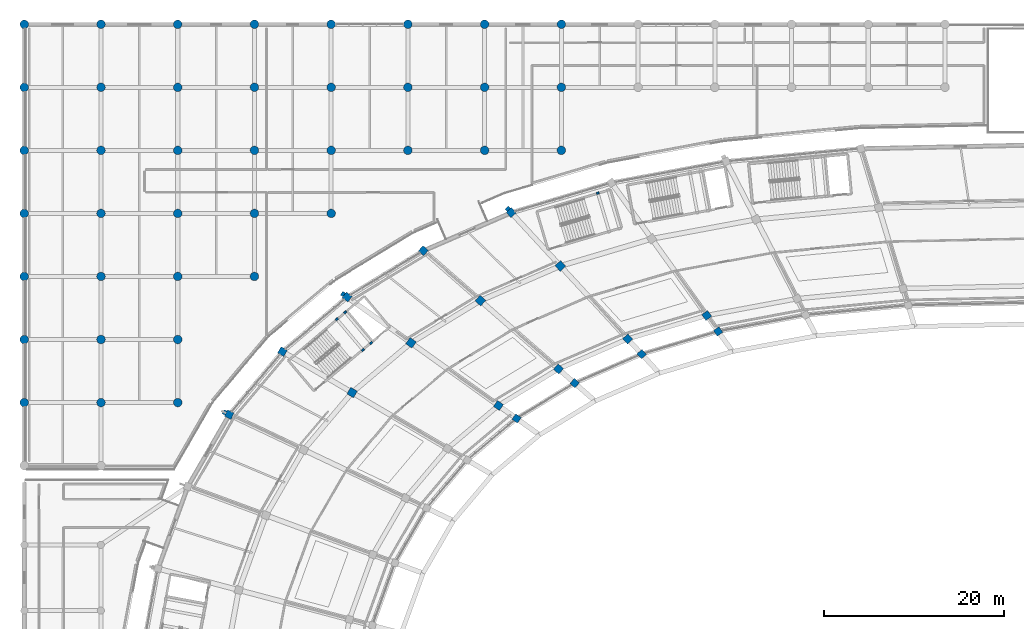
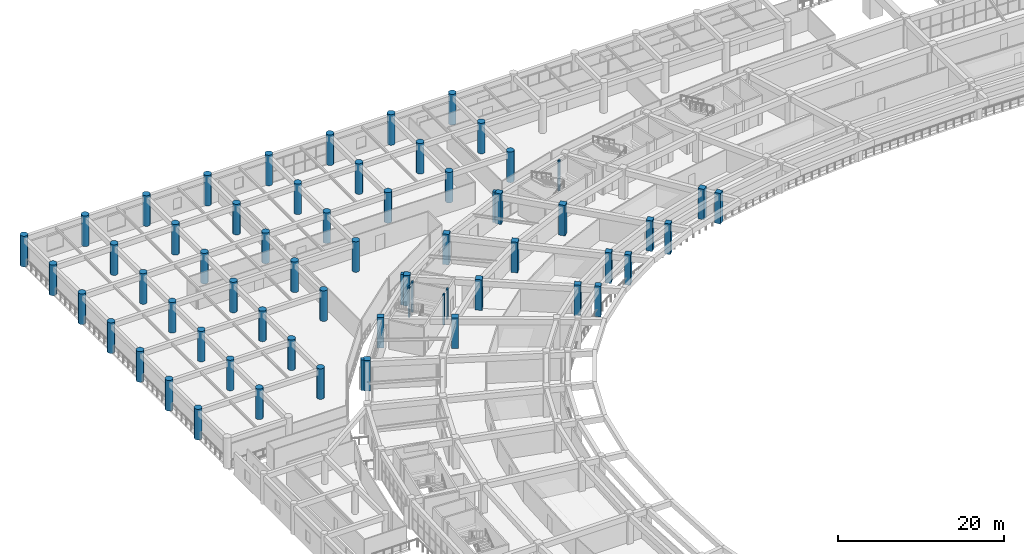
# One storey, part 7 of 145: 64 columns.
"""IFC4 building model written with IfcOpenShell, lengths in metres."""

from ifc_helpers import new_model, si_unit, direction, frame, origin, origin_2d, place, context, subcontext, project, spatial, rectangle, circle, extrude, material, material_profile, profile_set, type_object, element, save


model = new_model("IFC4")

# Units and contexts
model_context = context("Model", 3, precision=1e-05, world=origin(), true_north=direction((0.0, 1.0)))
body_context = subcontext(model_context, "Body", "Model", "MODEL_VIEW")
ifc_project = project(units=[si_unit("LENGTHUNIT", "METRE"), si_unit("AREAUNIT", "SQUARE_METRE"), si_unit("VOLUMEUNIT", "CUBIC_METRE"), si_unit("PLANEANGLEUNIT", "RADIAN"), si_unit("MASSUNIT", "GRAM", prefix="KILO")], contexts=[model_context])

# Site, building, storey
site_placement = place(None, origin())
site = spatial("IfcSite", under=ifc_project, at=site_placement, CompositionType="ELEMENT")
building_placement = place(site_placement, origin())
building = spatial("IfcBuilding", under=site, at=building_placement, Name="Mphavela Belvedere Stadium", CompositionType="ELEMENT")
storey_placement = place(building_placement, frame((0.0, 0.0, 10.199951171875)))
storey = spatial("IfcBuildingStorey", under=building, at=storey_placement, Name="L02", CompositionType="ELEMENT", Elevation=10.199951171875)

# Columns
ifc_material_1 = material(Name="Concrete C40/50", Category="concrete")
ifc_material_profile_1 = material_profile(ifc_material_1, rectangle(XDim=0.300048828125, YDim=0.219970703125, at=origin_2d()), Name="RC 300x220")
ifc_profile_set_1 = profile_set([ifc_material_profile_1], Name="Concrete C40/50")
column_type_1 = type_object("IfcColumnType", Name="COL-CORE-POST-300", PredefinedType="COLUMN", material=ifc_profile_set_1)
for number, where, z_axis, x_axis, name in (
    (1, (37.5927734375, 137.838623046875, 0.0), (0.0, 0.0, 1.0), (0.764246456939, 0.644924300253, 0.0), "Core C05 stair frame column L02-1"),
    (2, (38.510009765625, 138.612548828125, 0.0), (0.0, 0.0, 1.0), (0.764246456939, 0.644924300253, 0.0), "Core C05 stair frame column L02-2"),
    (3, (35.627197265625, 142.02880859375, 0.0), (0.0, 0.0, 1.0), (0.764246456939, 0.644924300253, 0.0), "Core C05 stair frame column L02-3"),
    (4, (34.7099609375, 141.2548828125, 0.0), (0.0, 0.0, 1.0), (0.764246456939, 0.644924300253, 0.0), "Core C05 stair frame column L02-4"),
    (5, (63.674072265625, 155.257080078125, 0.0), (0.0, 0.0, 1.0), (0.958670893355, 0.284517342588, 0.0), "Core P03 stair frame column L02-4"),
):
    element("IfcColumn", number, at=place(storey_placement, frame(where, z_axis=z_axis, x_axis=x_axis)), inside=storey, type_object=column_type_1, Name=name, PredefinedType="COLUMN", context=body_context, shape_type="SweptSolid", body=[
        extrude(rectangle(XDim=0.300048828125, YDim=0.219970703125, at=origin_2d()), origin(), (0.0, 0.0, 1.0), 4.5),
    ])
ifc_material_2 = material(Name="Concrete C40/50", Category="concrete")
ifc_material_profile_2 = material_profile(ifc_material_2, circle(Radius=0.47509765625, at=origin_2d()), Name="COL D950")
ifc_profile_set_2 = profile_set([ifc_material_profile_2], Name="Concrete C40/50")
column_type_2 = type_object("IfcColumnType", Name="COL-DORIC-950", PredefinedType="COLUMN", material=ifc_profile_set_2)
for number, where, z_axis, x_axis, name in (
    (6, (0.0, 132.0, 0.0), (0.0, 0.0, 1.0), (1.0, 0.0, 0.0), "North Mast and Ceremonial End Forecourt classical column L02 1-2"),
    (7, (0.0, 139.0, 0.0), (0.0, 0.0, 1.0), (1.0, 0.0, 0.0), "North Mast and Ceremonial End Forecourt classical column L02 1-3"),
    (8, (0.0, 146.0, 0.0), (0.0, 0.0, 1.0), (1.0, 0.0, 0.0), "North Mast and Ceremonial End Forecourt classical column L02 1-4"),
    (9, (0.0, 153.0, 0.0), (0.0, 0.0, 1.0), (1.0, 0.0, 0.0), "North Mast and Ceremonial End Forecourt classical column L02 1-5"),
    (10, (0.0, 160.0, 0.0), (0.0, 0.0, 1.0), (1.0, 0.0, 0.0), "North Mast and Ceremonial End Forecourt classical column L02 1-6"),
    (11, (0.0, 167.0, 0.0), (0.0, 0.0, 1.0), (1.0, 0.0, 0.0), "North Mast and Ceremonial End Forecourt classical column L02 1-7"),
    (12, (0.0, 174.0, 0.0), (0.0, 0.0, 1.0), (1.0, 0.0, 0.0), "North Mast and Ceremonial End Forecourt classical column L02 1-8"),
    (13, (8.51904296875, 132.0, 0.0), (0.0, 0.0, 1.0), (1.0, 0.0, 0.0), "North Mast and Ceremonial End Forecourt classical column L02 2-2"),
    (14, (8.51904296875, 139.0, 0.0), (0.0, 0.0, 1.0), (1.0, 0.0, 0.0), "North Mast and Ceremonial End Forecourt classical column L02 2-3"),
    (15, (8.51904296875, 146.0, 0.0), (0.0, 0.0, 1.0), (1.0, 0.0, 0.0), "North Mast and Ceremonial End Forecourt classical column L02 2-4"),
    (16, (8.51904296875, 153.0, 0.0), (0.0, 0.0, 1.0), (1.0, 0.0, 0.0), "North Mast and Ceremonial End Forecourt classical column L02 2-5"),
    (17, (8.51904296875, 160.0, 0.0), (0.0, 0.0, 1.0), (1.0, 0.0, 0.0), "North Mast and Ceremonial End Forecourt classical column L02 2-6"),
    (18, (8.51904296875, 167.0, 0.0), (0.0, 0.0, 1.0), (1.0, 0.0, 0.0), "North Mast and Ceremonial End Forecourt classical column L02 2-7"),
    (19, (8.51904296875, 174.0, 0.0), (0.0, 0.0, 1.0), (1.0, 0.0, 0.0), "North Mast and Ceremonial End Forecourt classical column L02 2-8"),
    (20, (17.037109375, 132.0, 0.0), (0.0, 0.0, 1.0), (1.0, 0.0, 0.0), "North Mast and Ceremonial End Forecourt classical column L02 3-2"),
    (21, (17.037109375, 139.0, 0.0), (0.0, 0.0, 1.0), (1.0, 0.0, 0.0), "North Mast and Ceremonial End Forecourt classical column L02 3-3"),
    (22, (17.037109375, 146.0, 0.0), (0.0, 0.0, 1.0), (1.0, 0.0, 0.0), "North Mast and Ceremonial End Forecourt classical column L02 3-4"),
    (23, (17.037109375, 153.0, 0.0), (0.0, 0.0, 1.0), (1.0, 0.0, 0.0), "North Mast and Ceremonial End Forecourt classical column L02 3-5"),
    (24, (17.037109375, 160.0, 0.0), (0.0, 0.0, 1.0), (1.0, 0.0, 0.0), "North Mast and Ceremonial End Forecourt classical column L02 3-6"),
    (25, (17.037109375, 167.0, 0.0), (0.0, 0.0, 1.0), (1.0, 0.0, 0.0), "North Mast and Ceremonial End Forecourt classical column L02 3-7"),
    (26, (17.037109375, 174.0, 0.0), (0.0, 0.0, 1.0), (1.0, 0.0, 0.0), "North Mast and Ceremonial End Forecourt classical column L02 3-8"),
    (27, (25.555908203125, 146.0, 0.0), (0.0, 0.0, 1.0), (1.0, 0.0, 0.0), "North Mast and Ceremonial End Forecourt classical column L02 4-4"),
    (28, (25.555908203125, 153.0, 0.0), (0.0, 0.0, 1.0), (1.0, 0.0, 0.0), "North Mast and Ceremonial End Forecourt classical column L02 4-5"),
    (29, (25.555908203125, 160.0, 0.0), (0.0, 0.0, 1.0), (1.0, 0.0, 0.0), "North Mast and Ceremonial End Forecourt classical column L02 4-6"),
    (30, (25.555908203125, 167.0, 0.0), (0.0, 0.0, 1.0), (1.0, 0.0, 0.0), "North Mast and Ceremonial End Forecourt classical column L02 4-7"),
    (31, (25.555908203125, 174.0, 0.0), (0.0, 0.0, 1.0), (1.0, 0.0, 0.0), "North Mast and Ceremonial End Forecourt classical column L02 4-8"),
    (32, (34.073974609375, 153.0, 0.0), (0.0, 0.0, 1.0), (1.0, 0.0, 0.0), "North Mast and Ceremonial End Forecourt classical column L02 5-5"),
    (33, (34.073974609375, 160.0, 0.0), (0.0, 0.0, 1.0), (1.0, 0.0, 0.0), "North Mast and Ceremonial End Forecourt classical column L02 5-6"),
    (34, (34.073974609375, 167.0, 0.0), (0.0, 0.0, 1.0), (1.0, 0.0, 0.0), "North Mast and Ceremonial End Forecourt classical column L02 5-7"),
    (35, (34.073974609375, 174.0, 0.0), (0.0, 0.0, 1.0), (1.0, 0.0, 0.0), "North Mast and Ceremonial End Forecourt classical column L02 5-8"),
    (36, (42.593017578125, 160.0, 0.0), (0.0, 0.0, 1.0), (1.0, 0.0, 0.0), "North Mast and Ceremonial End Forecourt classical column L02 6-6"),
    (37, (42.593017578125, 167.0, 0.0), (0.0, 0.0, 1.0), (1.0, 0.0, 0.0), "North Mast and Ceremonial End Forecourt classical column L02 6-7"),
    (38, (42.593017578125, 174.0, 0.0), (0.0, 0.0, 1.0), (1.0, 0.0, 0.0), "North Mast and Ceremonial End Forecourt classical column L02 6-8"),
    (39, (51.111083984375, 160.0, 0.0), (0.0, 0.0, 1.0), (1.0, 0.0, 0.0), "North Mast and Ceremonial End Forecourt classical column L02 7-6"),
    (40, (51.111083984375, 167.0, 0.0), (0.0, 0.0, 1.0), (1.0, 0.0, 0.0), "North Mast and Ceremonial End Forecourt classical column L02 7-7"),
    (41, (51.111083984375, 174.0, 0.0), (0.0, 0.0, 1.0), (1.0, 0.0, 0.0), "North Mast and Ceremonial End Forecourt classical column L02 7-8"),
    (42, (59.6298828125, 160.0, 0.0), (0.0, 0.0, 1.0), (1.0, 0.0, 0.0), "North Mast and Ceremonial End Forecourt classical column L02 8-6"),
    (43, (59.6298828125, 167.0, 0.0), (0.0, 0.0, 1.0), (1.0, 0.0, 0.0), "North Mast and Ceremonial End Forecourt classical column L02 8-7"),
    (44, (59.6298828125, 174.0, 0.0), (0.0, 0.0, 1.0), (1.0, 0.0, 0.0), "North Mast and Ceremonial End Forecourt classical column L02 8-8"),
):
    element("IfcColumn", number, at=place(storey_placement, frame(where, z_axis=z_axis, x_axis=x_axis)), inside=storey, type_object=column_type_2, Name=name, PredefinedType="COLUMN", context=body_context, shape_type="SweptSolid", body=[
        extrude(circle(Radius=0.47509765625, at=origin_2d()), origin(), (0.0, 0.0, 1.0), 4.5),
    ])
ifc_material_3 = material(Name="Concrete C40/50", Category="concrete")
ifc_material_profile_3 = material_profile(ifc_material_3, rectangle(XDim=0.75, YDim=0.75, at=origin_2d()), Name="RC 750x750")
ifc_profile_set_3 = profile_set([ifc_material_profile_3], Name="Concrete C40/50")
column_type_3 = type_object("IfcColumnType", Name="COL-RC750", PredefinedType="COLUMN", material=ifc_profile_set_3)
for number, where, z_axis, x_axis, name in (
    (45, (77.038330078125, 139.898681640625, 0.0), (0.0, 0.0, 1.0), (-0.582974127943, 0.812490717577, 0.0), "Inner concourse column L02 R1-16"),
    (46, (68.549560546875, 137.37890625, 0.0), (0.0, 0.0, 1.0), (-0.677903094969, 0.735151272753, 0.0), "Inner concourse column L02 R1-17"),
    (47, (61.11083984375, 134.154296875, 0.0), (0.0, 0.0, 1.0), (-0.752529860433, 0.658558128912, 0.0), "Inner concourse column L02 R1-18"),
    (48, (54.66259765625, 130.2314453125, 0.0), (0.0, 0.0, 1.0), (-0.812897512265, 0.582406760395, 0.0), "Inner concourse column L02 R1-19"),
):
    element("IfcColumn", number, at=place(storey_placement, frame(where, z_axis=z_axis, x_axis=x_axis)), inside=storey, type_object=column_type_3, Name=name, PredefinedType="COLUMN", context=body_context, shape_type="SweptSolid", body=[
        extrude(rectangle(XDim=0.75, YDim=0.75, at=origin_2d()), origin(), (0.0, 0.0, 1.0), 4.5),
    ])
ifc_material_4 = material(Name="Concrete C40/50", Category="concrete")
ifc_material_profile_4 = material_profile(ifc_material_4, rectangle(XDim=0.800048828125, YDim=0.800048828125, at=origin_2d()), Name="RC 800x800")
ifc_profile_set_4 = profile_set([ifc_material_profile_4], Name="Concrete C40/50")
column_type_4 = type_object("IfcColumnType", Name="COL-RC800", PredefinedType="COLUMN", material=ifc_profile_set_4)
for number, where, z_axis, x_axis, name in (
    (49, (75.769775390625, 141.66650390625, 0.0), (0.0, 0.0, 1.0), (-0.582974127943, 0.812490717577, 0.0), "Middle concourse column L02 R2-16"),
    (50, (66.997314453125, 139.0625, 0.0), (0.0, 0.0, 1.0), (-0.677903094969, 0.735151272753, 0.0), "Middle concourse column L02 R2-17"),
    (51, (54.0625, 153.09130859375, 0.0), (0.0, 0.0, 1.0), (-0.677903094969, 0.735151272753, 0.0), "Outer colonnade column L02 R4-17"),
    (52, (59.31005859375, 135.72998046875, 0.0), (0.0, 0.0, 1.0), (-0.752529860433, 0.658558128912, 0.0), "Middle concourse column L02 R2-18"),
    (53, (44.3037109375, 148.86083984375, 0.0), (0.0, 0.0, 1.0), (-0.752529860433, 0.658558128912, 0.0), "Outer colonnade column L02 R4-18"),
    (54, (52.646240234375, 131.676025390625, 0.0), (0.0, 0.0, 1.0), (-0.812897512265, 0.582406760395, 0.0), "Middle concourse column L02 R2-19"),
    (55, (35.844482421875, 143.714599609375, 0.0), (0.0, 0.0, 1.0), (-0.812897512265, 0.582406760395, 0.0), "Outer colonnade column L02 R4-19"),
    (56, (28.66162109375, 137.653564453125, 0.0), (0.0, 0.0, 1.0), (-0.862513669207, 0.506033764121, 0.0), "Outer colonnade column L02 R4-20"),
    (57, (22.757568359375, 130.66162109375, 0.0), (0.0, 0.0, 1.0), (-0.903858661687, 0.4278311813, 0.0), "Outer colonnade column L02 R4-21"),
):
    element("IfcColumn", number, at=place(storey_placement, frame(where, z_axis=z_axis, x_axis=x_axis)), inside=storey, type_object=column_type_4, Name=name, PredefinedType="COLUMN", context=body_context, shape_type="SweptSolid", body=[
        extrude(rectangle(XDim=0.800048828125, YDim=0.800048828125, at=origin_2d()), origin(), (0.0, 0.0, 1.0), 4.5),
    ])
ifc_material_5 = material(Name="Concrete C40/50", Category="concrete")
ifc_material_profile_5 = material_profile(ifc_material_5, rectangle(XDim=0.85009765625, YDim=0.85009765625, at=origin_2d()), Name="RC 850x850")
ifc_profile_set_5 = profile_set([ifc_material_profile_5], Name="Concrete C40/50")
column_type_5 = type_object("IfcColumnType", Name="COL-RC850", PredefinedType="COLUMN", material=ifc_profile_set_5)
for number, where, z_axis, x_axis, name in (
    (58, (59.523681640625, 147.16796875, 0.0), (0.0, 0.0, 1.0), (-0.677903094969, 0.735151272753, 0.0), "Main bowl column L02 R3-17"),
    (59, (50.639892578125, 143.31689453125, 0.0), (0.0, 0.0, 1.0), (-0.752529860433, 0.658558128912, 0.0), "Main bowl column L02 R3-18"),
    (60, (42.938720703125, 138.631591796875, 0.0), (0.0, 0.0, 1.0), (-0.812897512265, 0.582406760395, 0.0), "Main bowl column L02 R3-19"),
    (61, (36.399658203125, 133.11376953125, 0.0), (0.0, 0.0, 1.0), (-0.862513669207, 0.506033764121, 0.0), "Main bowl column L02 R3-20"),
):
    element("IfcColumn", number, at=place(storey_placement, frame(where, z_axis=z_axis, x_axis=x_axis)), inside=storey, type_object=column_type_5, Name=name, PredefinedType="COLUMN", context=body_context, shape_type="SweptSolid", body=[
        extrude(rectangle(XDim=0.85009765625, YDim=0.85009765625, at=origin_2d()), origin(), (0.0, 0.0, 1.0), 4.5),
    ])
ifc_material_6 = material(Name="Concrete C40/50", Category="concrete")
ifc_material_profile_6 = material_profile(ifc_material_6, rectangle(XDim=0.5, YDim=0.35009765625, at=origin_2d()), Name="PIL 500x350")
ifc_profile_set_6 = profile_set([ifc_material_profile_6], Name="Concrete C40/50")
column_type_6 = type_object("IfcColumnType", Name="PIL-FLUTED-500", PredefinedType="PILASTER", material=ifc_profile_set_6)
for number, where, z_axis, x_axis, name in (
    (62, (53.670654296875, 153.51611328125, 0.0), (0.0, 0.0, 1.0), (-0.735151272753, -0.677903094969, 0.0), "Fluted classical pilaster L02-17"),
    (63, (35.37451171875, 144.051025390625, 0.0), (0.0, 0.0, 1.0), (-0.582406760395, -0.812897512265, 0.0), "Fluted classical pilaster L02-19"),
    (64, (22.235107421875, 130.90869140625, 0.0), (0.0, 0.0, 1.0), (-0.4278311813, -0.903858661687, 0.0), "Fluted classical pilaster L02-21"),
):
    element("IfcColumn", number, at=place(storey_placement, frame(where, z_axis=z_axis, x_axis=x_axis)), inside=storey, type_object=column_type_6, Name=name, PredefinedType="PILASTER", context=body_context, shape_type="SweptSolid", body=[
        extrude(rectangle(XDim=0.5, YDim=0.35009765625, at=origin_2d()), origin(), (0.0, 0.0, 1.0), 4.5),
    ])

save(model, "model.ifc")
